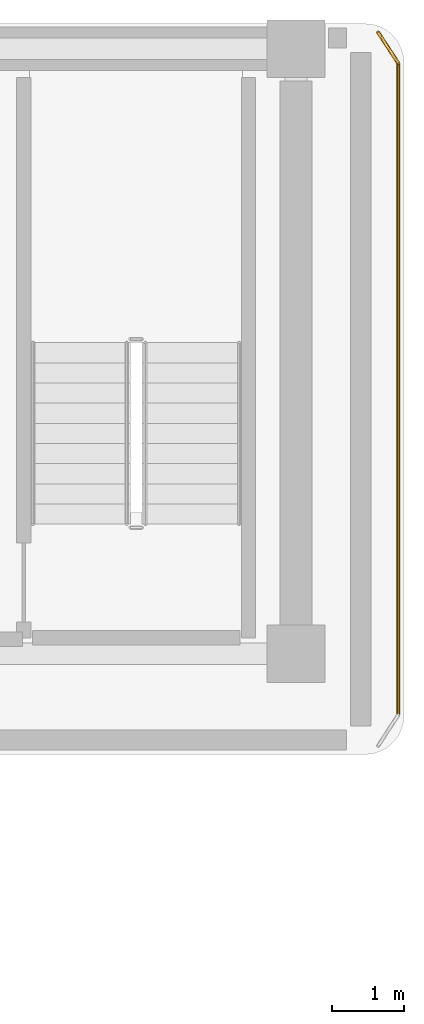
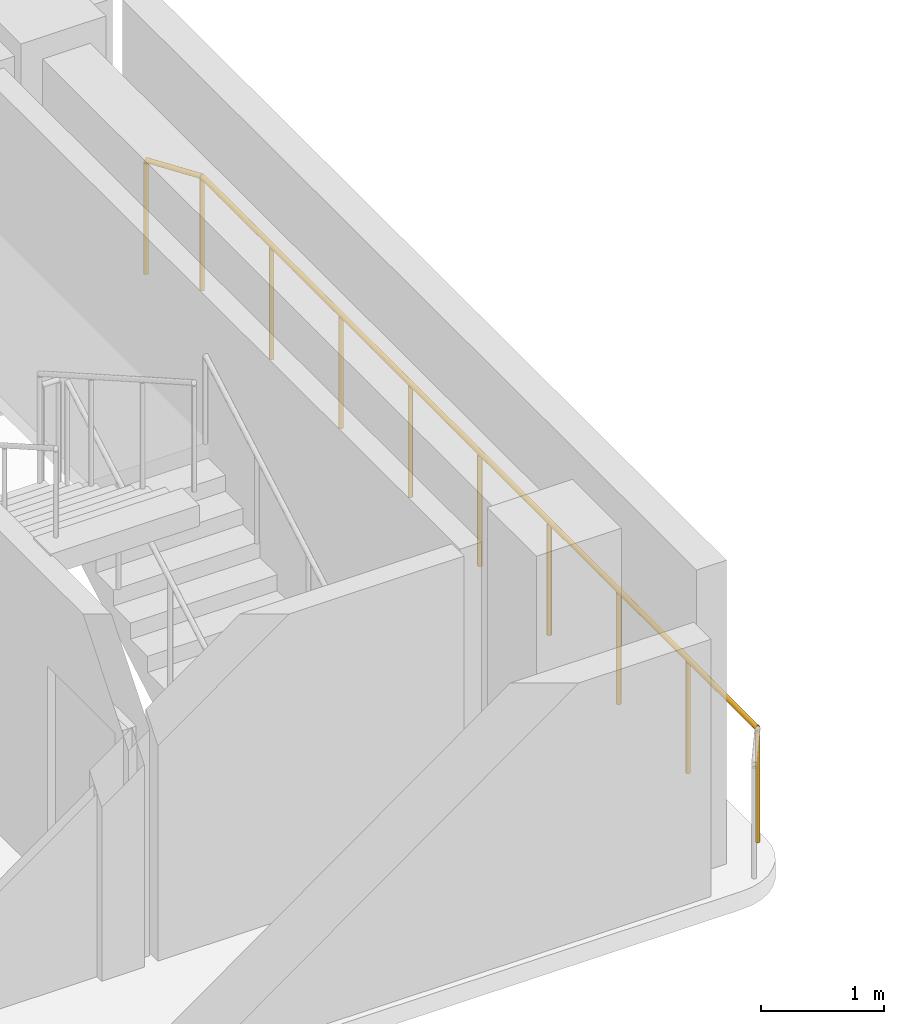
# One storey, part 11 of 11: 2 railings.
"""IFC4 building model written with IfcOpenShell, lengths in metres."""

from ifc_helpers import new_model, si_unit, direction, frame, origin, origin_2d, place, context, subcontext, project, spatial, circle, extrude, material, layer, layer_set, type_object, element, save


model = new_model("IFC4")

# Units and contexts
model_context = context("Model", 3, precision=1e-05, world=origin(), true_north=direction((0.0, 1.0)))
body_context = subcontext(model_context, "Body", "Model", "MODEL_VIEW")
ifc_project = project(units=[si_unit("LENGTHUNIT", "METRE"), si_unit("AREAUNIT", "SQUARE_METRE"), si_unit("VOLUMEUNIT", "CUBIC_METRE"), si_unit("PLANEANGLEUNIT", "RADIAN"), si_unit("MASSUNIT", "GRAM", prefix="KILO")], contexts=[model_context])

# Site, building, storey
site_placement = place(None, origin())
site = spatial("IfcSite", under=ifc_project, at=site_placement, CompositionType="ELEMENT")
building_placement = place(site_placement, origin())
building = spatial("IfcBuilding", under=site, at=building_placement, Name="Kuzgunbayir Cultural Tower", CompositionType="ELEMENT")
storey_placement = place(building_placement, frame((0.0, 0.0, 237.60009765625)))
storey = spatial("IfcBuildingStorey", under=building, at=storey_placement, Name="L70", CompositionType="ELEMENT", Elevation=237.60009765625)

# Railings
ifc_material = material(Name="Laminated Glass and Stainless Steel", Category="steel")
ifc_layer = layer(ifc_material, 0.080078125)
ifc_layer_set = layer_set([ifc_layer], Name="Laminated Glass and Stainless Steel")
railing_type = type_object("IfcRailingType", Name="RLG-BAL-115", PredefinedType="BALUSTRADE", material=ifc_layer_set)
railing_1_placement = place(storey_placement, frame((28.0400390625, 42.429931640625, 0.0)))
element("IfcRailing", 1, at=railing_1_placement, inside=storey, type_object=railing_type, Name="L70 Perimeter Edge Guard 1", PredefinedType="BALUSTRADE", context=body_context, shape_type="SweptSolid", body=[
    extrude(circle(Radius=0.02392578125, at=origin_2d()), frame((0.0, 0.0, 1.1259765625), z_axis=(0.545774188207, -0.837932297675, 0.0), x_axis=(0.837932297675, 0.545774188207, 0.0)), (0.0, 0.0, 1.0), 0.51318359375),
    extrude(circle(Radius=0.02099609375, at=origin_2d()), origin(), (0.0, 0.0, 1.0), 1.101806640625),
    extrude(circle(Radius=0.02099609375, at=origin_2d()), frame((0.280029296875, -0.429931640625, 0.0)), (0.0, 0.0, 1.0), 1.101806640625),
])
railing_2_placement = place(storey_placement, frame((28.320068359375, 42.0, 0.0)))
element("IfcRailing", 2, at=railing_2_placement, inside=storey, type_object=railing_type, Name="L70 Perimeter Edge Guard 2", PredefinedType="BALUSTRADE", context=body_context, shape_type="SweptSolid", body=[
    extrude(circle(Radius=0.02392578125, at=origin_2d()), frame((0.0, 0.0, 1.1259765625), z_axis=(0.0, -1.0, 0.0), x_axis=(1.0, 0.0, 0.0)), (0.0, 0.0, 1.0), 9.050048828125),
    extrude(circle(Radius=0.02099609375, at=origin_2d()), origin(), (0.0, 0.0, 1.0), 1.101806640625),
    extrude(circle(Radius=0.02099609375, at=origin_2d()), frame((0.0, -1.13134765625, 0.0)), (0.0, 0.0, 1.0), 1.101806640625),
    extrude(circle(Radius=0.02099609375, at=origin_2d()), frame((0.0, -2.262451171875, 0.0)), (0.0, 0.0, 1.0), 1.101806640625),
    extrude(circle(Radius=0.02099609375, at=origin_2d()), frame((0.0, -3.393798828125, 0.0)), (0.0, 0.0, 1.0), 1.101806640625),
    extrude(circle(Radius=0.02099609375, at=origin_2d()), frame((0.0, -4.52490234375, 0.0)), (0.0, 0.0, 1.0), 1.101806640625),
    extrude(circle(Radius=0.02099609375, at=origin_2d()), frame((0.0, -5.65625, 0.0)), (0.0, 0.0, 1.0), 1.101806640625),
    extrude(circle(Radius=0.02099609375, at=origin_2d()), frame((0.0, -6.78759765625, 0.0)), (0.0, 0.0, 1.0), 1.101806640625),
    extrude(circle(Radius=0.02099609375, at=origin_2d()), frame((0.0, -7.918701171875, 0.0)), (0.0, 0.0, 1.0), 1.101806640625),
    extrude(circle(Radius=0.02099609375, at=origin_2d()), frame((0.0, -9.050048828125, 0.0)), (0.0, 0.0, 1.0), 1.101806640625),
])

save(model, "model.ifc")
